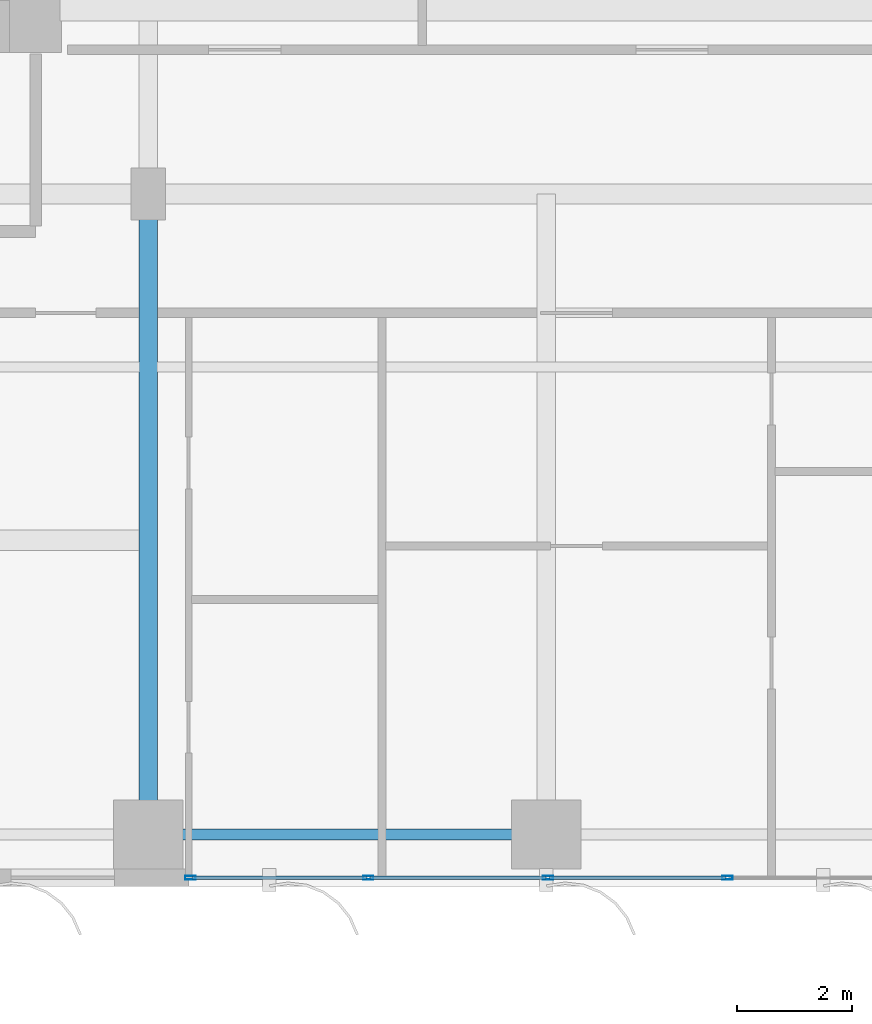
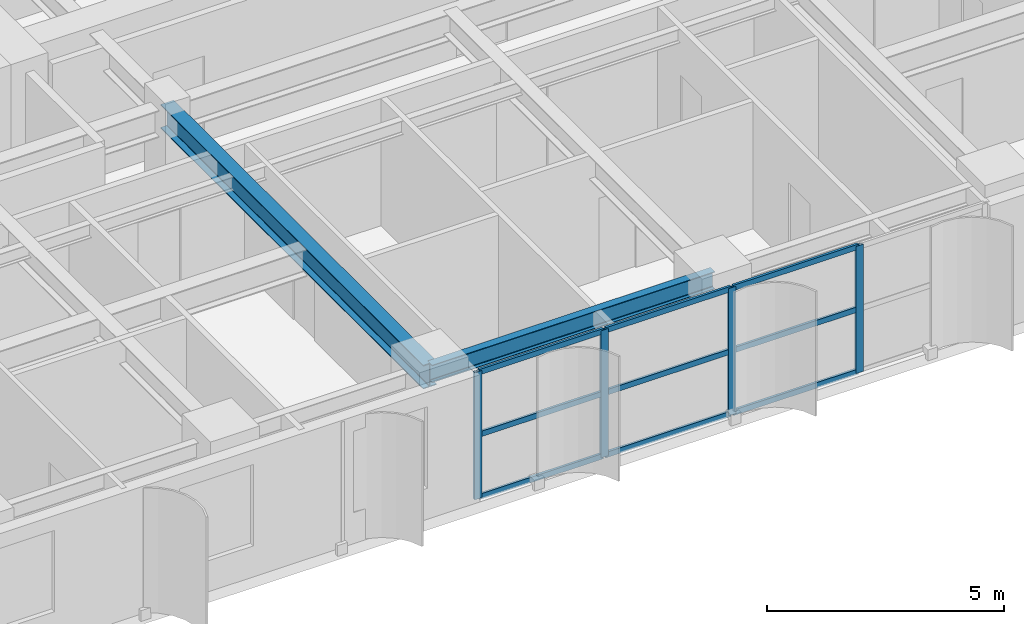
# One storey, part 2 of 23: 13 members, 2 beams, 1 element without a shape of its own.
"""IFC4 building model written with IfcOpenShell, lengths in metres."""

from ifc_helpers import new_model, si_unit, direction, frame, origin, origin_2d, place, context, subcontext, project, spatial, hollow_rectangle, i_section, extrude, source, transform, mapped, material, layer, layer_set, material_profile, profile_set, type_object, element, aggregate, save


model = new_model("IFC4")

# Units and contexts
model_context = context("Model", 3, precision=1e-05, world=origin(), true_north=direction((0.0, 1.0)))
body_context = subcontext(model_context, "Body", "Model", "MODEL_VIEW")
ifc_project = project(units=[si_unit("LENGTHUNIT", "METRE"), si_unit("AREAUNIT", "SQUARE_METRE"), si_unit("VOLUMEUNIT", "CUBIC_METRE"), si_unit("PLANEANGLEUNIT", "RADIAN"), si_unit("MASSUNIT", "GRAM", prefix="KILO")], contexts=[model_context])

# Site, building, storey
site_placement = place(None, origin())
site = spatial("IfcSite", under=ifc_project, at=site_placement, CompositionType="ELEMENT")
building_placement = place(site_placement, origin())
building = spatial("IfcBuilding", under=site, at=building_placement, Name="Khoralis Quay Care Tower", CompositionType="ELEMENT")
storey_placement = place(building_placement, frame((0.0, 0.0, 72.89990234375)))
storey = spatial("IfcBuildingStorey", under=building, at=storey_placement, Name="L19", CompositionType="ELEMENT", Elevation=72.89990234375)

# Beams
ifc_material_1 = material(Name="Steel S355", Category="steel")
ifc_material_profile_1 = material_profile(ifc_material_1, i_section(OverallWidth=0.18994140625, OverallDepth=0.449951171875, WebThickness=0.009521484375, FlangeThickness=0.0146484375, FilletRadius=0.02099609375, at=origin_2d()), Name="Steel S355")
ifc_profile_set_1 = profile_set([ifc_material_profile_1], Name="Steel S355")
beam_type_1 = type_object("IfcBeamType", Name="BM-IPE450", PredefinedType="SPANDREL", material=ifc_profile_set_1)
shared_shape_1 = source(origin(), body_context, "Body", "SweptSolid", [
    extrude(i_section(OverallWidth=0.18994140625, OverallDepth=0.449951171875, WebThickness=0.009521484375, FlangeThickness=0.0146484375, FilletRadius=0.02099609375, at=origin_2d()), origin(), (0.0, 0.0, 1.0), 6.89990234375),
])
beam_1_placement = place(storey_placement, frame((17.10009765625, 0.89990234375, 3.05517578125), z_axis=(1.0, 0.0, 0.0), x_axis=(0.0, 1.0, 0.0)))
element("IfcBeam", 1, at=beam_1_placement, inside=storey, type_object=beam_type_1, Name="BM-TSP-L19-03", PredefinedType="SPANDREL", context=body_context, shape_type="MappedRepresentation", body=[
    mapped(shared_shape_1, transform((0.0, 0.0, 0.0), scale=1.0)),
])
ifc_material_profile_2 = material_profile(ifc_material_1, i_section(OverallWidth=0.324951171875, OverallDepth=0.615966796875, WebThickness=0.013916015625, FlangeThickness=0.021484375, FilletRadius=0.01806640625, at=origin_2d()), Name="Steel S355")
ifc_profile_set_2 = profile_set([ifc_material_profile_2], Name="Steel S355")
beam_type_2 = type_object("IfcBeamType", Name="BM-W610X174", PredefinedType="BEAM", material=ifc_profile_set_2)
shared_shape_2 = source(origin(), body_context, "Body", "SweptSolid", [
    extrude(i_section(OverallWidth=0.324951171875, OverallDepth=0.615966796875, WebThickness=0.013916015625, FlangeThickness=0.021484375, FilletRadius=0.01806640625, at=origin_2d()), origin(), (0.0, 0.0, 1.0), 11.10009765625),
])
beam_2_placement = place(storey_placement, frame((17.10009765625, 0.89990234375, 2.97216796875), z_axis=(0.0, 1.0, 0.0), x_axis=(-1.0, 0.0, 0.0)))
element("IfcBeam", 2, at=beam_2_placement, inside=storey, type_object=beam_type_2, Name="BM-TGYS-L19-171", PredefinedType="BEAM", context=body_context, shape_type="MappedRepresentation", body=[
    mapped(shared_shape_2, transform((0.0, 0.0, 0.0), scale=1.0)),
])

# Curtain wall, members
ifc_material_2 = material(Name="Pale anodised aluminium", Category="aluminium")
ifc_layer = layer(ifc_material_2, 0.179931640625)
ifc_layer_set = layer_set([ifc_layer], Name="Pale anodised aluminium")
curtain_wall_type = type_object("IfcCurtainWallType", Name="CW-SYS-Z1", PredefinedType="NOTDEFINED", material=ifc_layer_set)
curtain_wall_placement = place(storey_placement, origin())
curtain_wall = element("IfcCurtainWall", 3, at=curtain_wall_placement, inside=storey, type_object=curtain_wall_type, Name="L19 Unitised Curtain Wall CW-L19-P1-E0", PredefinedType="NOTDEFINED")
ifc_material_profile_3 = material_profile(ifc_material_2, hollow_rectangle(XDim=0.06494140625, YDim=0.179931640625, WallThickness=0.00390625, at=origin_2d()), Name="Pale anodised aluminium")
ifc_profile_set_3 = profile_set([ifc_material_profile_3], Name="Pale anodised aluminium")
member_type_1 = type_object("IfcMemberType", Name="CW-MUL-180", PredefinedType="MULLION", material=ifc_profile_set_3)
shared_shape_3 = source(origin(), body_context, "Body", "SweptSolid", [
    extrude(hollow_rectangle(XDim=0.06494140625, YDim=0.179931640625, WallThickness=0.00390625, at=origin_2d()), origin(), (0.0, 0.0, 1.0), 3.280029296875),
])
member_1_placement = place(storey_placement, frame((17.83203125, 0.14990234375, 0.0), z_axis=(0.0, 0.0, 1.0), x_axis=(0.0, 1.0, 0.0)))
member_1 = element("IfcMember", 4, at=member_1_placement, type_object=member_type_1, Name="CW1 mullion 1", PredefinedType="MULLION", context=body_context, shape_type="MappedRepresentation", body=[
    mapped(shared_shape_3, transform((0.0, 0.0, 0.0), scale=1.0)),
])
member_2_placement = place(storey_placement, frame((20.9140625, 0.14990234375, 0.0), z_axis=(0.0, 0.0, 1.0), x_axis=(0.0, 1.0, 0.0)))
member_2 = element("IfcMember", 5, at=member_2_placement, type_object=member_type_1, Name="CW1 mullion 2", PredefinedType="MULLION", context=body_context, shape_type="MappedRepresentation", body=[
    mapped(shared_shape_3, transform((0.0, 0.0, 0.0), scale=1.0)),
])
member_3_placement = place(storey_placement, frame((24.02587890625, 0.14990234375, 0.0), z_axis=(0.0, 0.0, 1.0), x_axis=(0.0, 1.0, 0.0)))
member_3 = element("IfcMember", 6, at=member_3_placement, type_object=member_type_1, Name="CW1 mullion 3", PredefinedType="MULLION", context=body_context, shape_type="MappedRepresentation", body=[
    mapped(shared_shape_3, transform((0.0, 0.0, 0.0), scale=1.0)),
])
member_4_placement = place(storey_placement, frame((27.137939453125, 0.14990234375, 0.0), z_axis=(0.0, 0.0, 1.0), x_axis=(0.0, 1.0, 0.0)))
member_4 = element("IfcMember", 7, at=member_4_placement, type_object=member_type_1, Name="CW1 mullion 4", PredefinedType="MULLION", context=body_context, shape_type="MappedRepresentation", body=[
    mapped(shared_shape_3, transform((0.0, 0.0, 0.0), scale=1.0)),
])
ifc_material_profile_4 = material_profile(ifc_material_2, hollow_rectangle(XDim=0.06005859375, YDim=0.139892578125, WallThickness=0.00390625, at=origin_2d()), Name="Pale anodised aluminium")
ifc_profile_set_4 = profile_set([ifc_material_profile_4], Name="Pale anodised aluminium")
member_type_2 = type_object("IfcMemberType", Name="CW-TRN-140", PredefinedType="USERDEFINED", material=ifc_profile_set_4)
shared_shape_4 = source(origin(), body_context, "Body", "SweptSolid", [
    extrude(hollow_rectangle(XDim=0.06005859375, YDim=0.139892578125, WallThickness=0.00390625, at=origin_2d()), origin(), (0.0, 0.0, 1.0), 3.02197265625),
])
member_5_placement = place(storey_placement, frame((17.862060546875, 0.14990234375, 0.030029296875), z_axis=(1.0, 0.0, 0.0), x_axis=(0.0, 1.0, 0.0)))
member_5 = element("IfcMember", 8, at=member_5_placement, type_object=member_type_2, Name="CW1 transom 1.1", ObjectType="TRANSOM", PredefinedType="USERDEFINED", context=body_context, shape_type="MappedRepresentation", body=[
    mapped(shared_shape_4, transform((0.0, 0.0, 0.0), scale=1.0)),
])
member_6_placement = place(storey_placement, frame((17.862060546875, 0.14990234375, 1.64013671875), z_axis=(1.0, 0.0, 0.0), x_axis=(0.0, 1.0, 0.0)))
member_6 = element("IfcMember", 9, at=member_6_placement, type_object=member_type_2, Name="CW1 transom 1.2", ObjectType="TRANSOM", PredefinedType="USERDEFINED", context=body_context, shape_type="MappedRepresentation", body=[
    mapped(shared_shape_4, transform((0.0, 0.0, 0.0), scale=1.0)),
])
member_7_placement = place(storey_placement, frame((17.862060546875, 0.14990234375, 3.25), z_axis=(1.0, 0.0, 0.0), x_axis=(0.0, 1.0, 0.0)))
member_7 = element("IfcMember", 10, at=member_7_placement, type_object=member_type_2, Name="CW1 transom 1.3", ObjectType="TRANSOM", PredefinedType="USERDEFINED", context=body_context, shape_type="MappedRepresentation", body=[
    mapped(shared_shape_4, transform((0.0, 0.0, 0.0), scale=1.0)),
])
shared_shape_5 = source(origin(), body_context, "Body", "SweptSolid", [
    extrude(hollow_rectangle(XDim=0.06005859375, YDim=0.139892578125, WallThickness=0.00390625, at=origin_2d()), origin(), (0.0, 0.0, 1.0), 3.052001953125),
])
member_8_placement = place(storey_placement, frame((20.944091796875, 0.14990234375, 0.030029296875), z_axis=(1.0, 0.0, 0.0), x_axis=(0.0, 1.0, 0.0)))
member_8 = element("IfcMember", 11, at=member_8_placement, type_object=member_type_2, Name="CW1 transom 2.1", ObjectType="TRANSOM", PredefinedType="USERDEFINED", context=body_context, shape_type="MappedRepresentation", body=[
    mapped(shared_shape_5, transform((0.0, 0.0, 0.0), scale=1.0)),
])
member_9_placement = place(storey_placement, frame((20.944091796875, 0.14990234375, 1.64013671875), z_axis=(1.0, 0.0, 0.0), x_axis=(0.0, 1.0, 0.0)))
member_9 = element("IfcMember", 12, at=member_9_placement, type_object=member_type_2, Name="CW1 transom 2.2", ObjectType="TRANSOM", PredefinedType="USERDEFINED", context=body_context, shape_type="MappedRepresentation", body=[
    mapped(shared_shape_5, transform((0.0, 0.0, 0.0), scale=1.0)),
])
member_10_placement = place(storey_placement, frame((20.944091796875, 0.14990234375, 3.25), z_axis=(1.0, 0.0, 0.0), x_axis=(0.0, 1.0, 0.0)))
member_10 = element("IfcMember", 13, at=member_10_placement, type_object=member_type_2, Name="CW1 transom 2.3", ObjectType="TRANSOM", PredefinedType="USERDEFINED", context=body_context, shape_type="MappedRepresentation", body=[
    mapped(shared_shape_5, transform((0.0, 0.0, 0.0), scale=1.0)),
])
member_11_placement = place(storey_placement, frame((24.055908203125, 0.14990234375, 0.030029296875), z_axis=(1.0, 0.0, 0.0), x_axis=(0.0, 1.0, 0.0)))
member_11 = element("IfcMember", 14, at=member_11_placement, type_object=member_type_2, Name="CW1 transom 3.1", ObjectType="TRANSOM", PredefinedType="USERDEFINED", context=body_context, shape_type="MappedRepresentation", body=[
    mapped(shared_shape_5, transform((0.0, 0.0, 0.0), scale=1.0)),
])
member_12_placement = place(storey_placement, frame((24.055908203125, 0.14990234375, 1.64013671875), z_axis=(1.0, 0.0, 0.0), x_axis=(0.0, 1.0, 0.0)))
member_12 = element("IfcMember", 15, at=member_12_placement, type_object=member_type_2, Name="CW1 transom 3.2", ObjectType="TRANSOM", PredefinedType="USERDEFINED", context=body_context, shape_type="MappedRepresentation", body=[
    mapped(shared_shape_5, transform((0.0, 0.0, 0.0), scale=1.0)),
])
member_13_placement = place(storey_placement, frame((24.055908203125, 0.14990234375, 3.25), z_axis=(1.0, 0.0, 0.0), x_axis=(0.0, 1.0, 0.0)))
member_13 = element("IfcMember", 16, at=member_13_placement, type_object=member_type_2, Name="CW1 transom 3.3", ObjectType="TRANSOM", PredefinedType="USERDEFINED", context=body_context, shape_type="MappedRepresentation", body=[
    mapped(shared_shape_5, transform((0.0, 0.0, 0.0), scale=1.0)),
])
aggregate(curtain_wall, [member_1, member_2, member_3, member_4, member_5, member_6, member_7, member_8, member_9, member_10, member_11, member_12, member_13])

save(model, "model.ifc")
